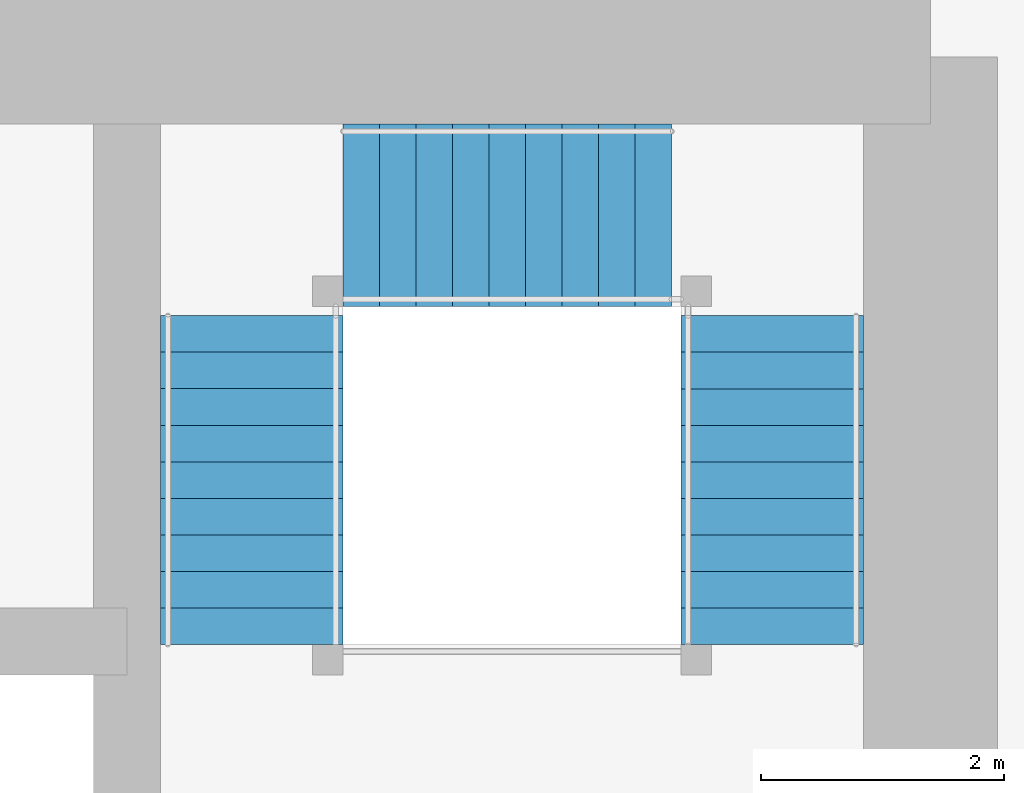
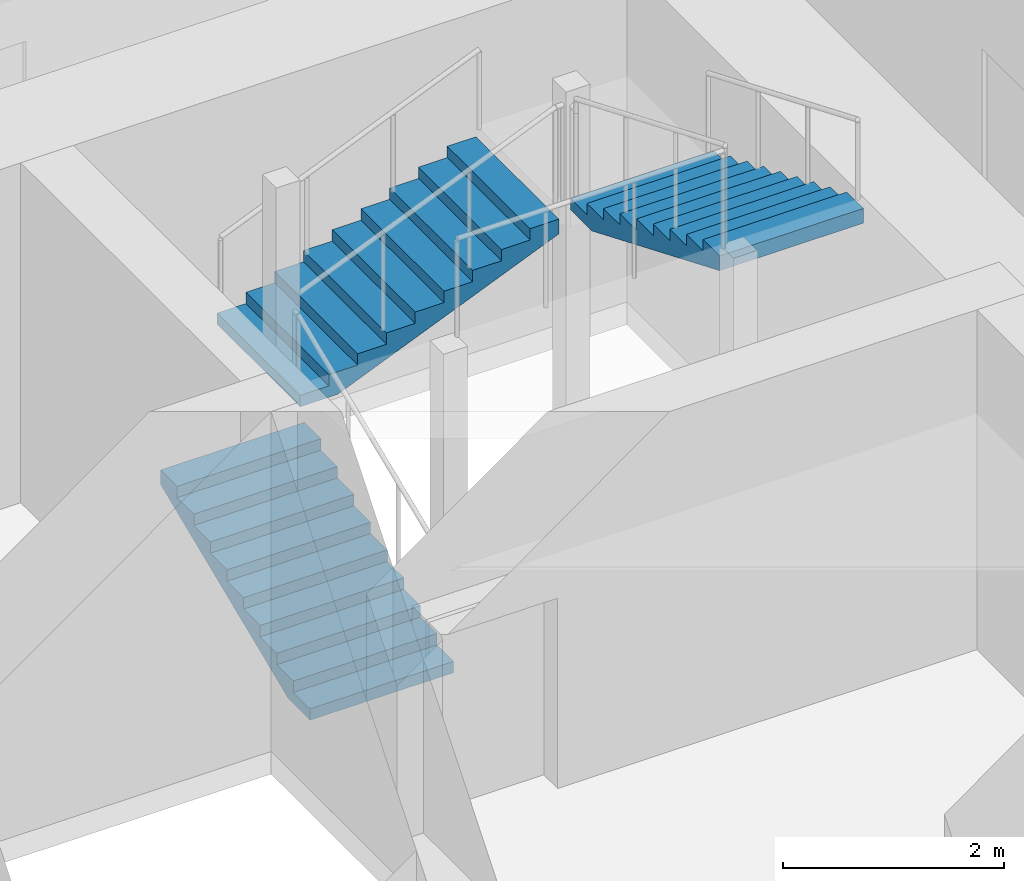
# One storey, part 36 of 45: 3 stair flights, 1 element without a shape of its own.
"""IFC4 building model written with IfcOpenShell, lengths in metres."""

from ifc_helpers import new_model, si_unit, direction, frame, origin, place, context, subcontext, project, spatial, polyline, outline, extrude, material, type_object, element, aggregate, save


model = new_model("IFC4")

# Units and contexts
model_context = context("Model", 3, precision=1e-05, world=origin(), true_north=direction((0.0, 1.0)))
body_context = subcontext(model_context, "Body", "Model", "MODEL_VIEW")
ifc_project = project(units=[si_unit("LENGTHUNIT", "METRE"), si_unit("AREAUNIT", "SQUARE_METRE"), si_unit("VOLUMEUNIT", "CUBIC_METRE"), si_unit("PLANEANGLEUNIT", "RADIAN"), si_unit("MASSUNIT", "GRAM", prefix="KILO")], contexts=[model_context])

# Site, building, storey
site_placement = place(None, origin())
site = spatial("IfcSite", under=ifc_project, at=site_placement, CompositionType="ELEMENT")
building_placement = place(site_placement, origin())
building = spatial("IfcBuilding", under=site, at=building_placement, Name="Rekha Terrace Tower", CompositionType="ELEMENT")
storey_placement = place(building_placement, frame((0.0, 0.0, 32.89990234375)))
storey = spatial("IfcBuildingStorey", under=building, at=storey_placement, Name="L07", CompositionType="ELEMENT", Elevation=32.89990234375)

# Stair, stair flights
ifc_material = material(Name="Concrete M40", Category="concrete")
stair_type = type_object("IfcStairType", Name="ST30 stair, 30 risers of 125, going 300, 1500 wide flights, 3 flights", PredefinedType="HALF_TURN_STAIR", material=ifc_material)
stair_placement = place(storey_placement, origin())
stair = element("IfcStair", 1, at=stair_placement, inside=storey, type_object=stair_type, Name="Stair ST2 L07 to L08", PredefinedType="HALF_TURN_STAIR")
stair_flight_type = type_object("IfcStairFlightType", Name="SF10 stair flight, 10 risers of 125, going 300, 1500 wide", PredefinedType="STRAIGHT", material=ifc_material)
stair_flight_1_placement = place(storey_placement, frame((44.824951171875, 41.375, 0.0), z_axis=(0.0, 0.0, 1.0), x_axis=(0.0, 1.0, 0.0)))
stair_flight_1 = element("IfcStairFlight", 2, at=stair_flight_1_placement, type_object=stair_flight_type, Name="ST2 flight 1", NumberOfRisers=10, NumberOfTreads=9, PredefinedType="STRAIGHT", RiserHeight=0.125, TreadLength=0.3, context=body_context, shape_type="SweptSolid", body=[
    extrude(outline(polyline([(0.0, 0.0), (0.0, 0.125), (0.300048828125, 0.125), (0.300048828125, 0.25), (0.60009765625, 0.25), (0.60009765625, 0.375), (0.89990234375, 0.375), (0.89990234375, 0.5), (1.199951171875, 0.5), (1.199951171875, 0.625), (1.5, 0.625), (1.5, 0.75), (1.800048828125, 0.75), (1.800048828125, 0.875), (2.10009765625, 0.875), (2.10009765625, 1.0), (2.39990234375, 1.0), (2.39990234375, 1.125), (2.699951171875, 1.125), (2.699951171875, 1.25), (2.699951171875, 0.962646484375), (0.3896484375, 0.0), (0.0, 0.0)])), frame((0.0, 0.75, 0.0), z_axis=(0.0, -1.0, 0.0), x_axis=(1.0, 0.0, 0.0)), (0.0, 0.0, 1.0), 1.5),
])
stair_flight_2_placement = place(storey_placement, frame((45.574951171875, 44.89990234375, 1.25), z_axis=(0.0, 0.0, 1.0), x_axis=(1.0, 0.0, 0.0)))
stair_flight_2 = element("IfcStairFlight", 3, at=stair_flight_2_placement, type_object=stair_flight_type, Name="ST2 flight 2", NumberOfRisers=10, NumberOfTreads=9, PredefinedType="STRAIGHT", RiserHeight=0.125, TreadLength=0.3, context=body_context, shape_type="SweptSolid", body=[
    extrude(outline(polyline([(0.0, 0.0), (0.0, 0.125), (0.300048828125, 0.125), (0.300048828125, 0.25), (0.60009765625, 0.25), (0.60009765625, 0.375), (0.89990234375, 0.375), (0.89990234375, 0.5), (1.199951171875, 0.5), (1.199951171875, 0.625), (1.5, 0.625), (1.5, 0.75), (1.800048828125, 0.75), (1.800048828125, 0.875), (2.10009765625, 0.875), (2.10009765625, 1.0), (2.39990234375, 1.0), (2.39990234375, 1.125), (2.699951171875, 1.125), (2.699951171875, 1.25), (2.699951171875, 0.962646484375), (0.3896484375, 0.0), (0.0, 0.0)])), frame((0.0, 0.75, 0.0), z_axis=(0.0, -1.0, 0.0), x_axis=(1.0, 0.0, 0.0)), (0.0, 0.0, 1.0), 1.5),
])
stair_flight_3_placement = place(storey_placement, frame((49.10009765625, 44.074951171875, 2.5), z_axis=(0.0, 0.0, 1.0), x_axis=(0.0, -1.0, 0.0)))
stair_flight_3 = element("IfcStairFlight", 4, at=stair_flight_3_placement, type_object=stair_flight_type, Name="ST2 flight 3", NumberOfRisers=10, NumberOfTreads=9, PredefinedType="STRAIGHT", RiserHeight=0.125, TreadLength=0.3, context=body_context, shape_type="SweptSolid", body=[
    extrude(outline(polyline([(0.0, 0.0), (0.0, 0.125), (0.300048828125, 0.125), (0.300048828125, 0.25), (0.60009765625, 0.25), (0.60009765625, 0.375), (0.89990234375, 0.375), (0.89990234375, 0.5), (1.199951171875, 0.5), (1.199951171875, 0.625), (1.5, 0.625), (1.5, 0.75), (1.800048828125, 0.75), (1.800048828125, 0.875), (2.10009765625, 0.875), (2.10009765625, 1.0), (2.39990234375, 1.0), (2.39990234375, 1.125), (2.699951171875, 1.125), (2.699951171875, 1.25), (2.699951171875, 0.962646484375), (0.3896484375, 0.0), (0.0, 0.0)])), frame((0.0, 0.75, 0.0), z_axis=(0.0, -1.0, 0.0), x_axis=(1.0, 0.0, 0.0)), (0.0, 0.0, 1.0), 1.5),
])
aggregate(stair, [stair_flight_1, stair_flight_2, stair_flight_3])

save(model, "model.ifc")
